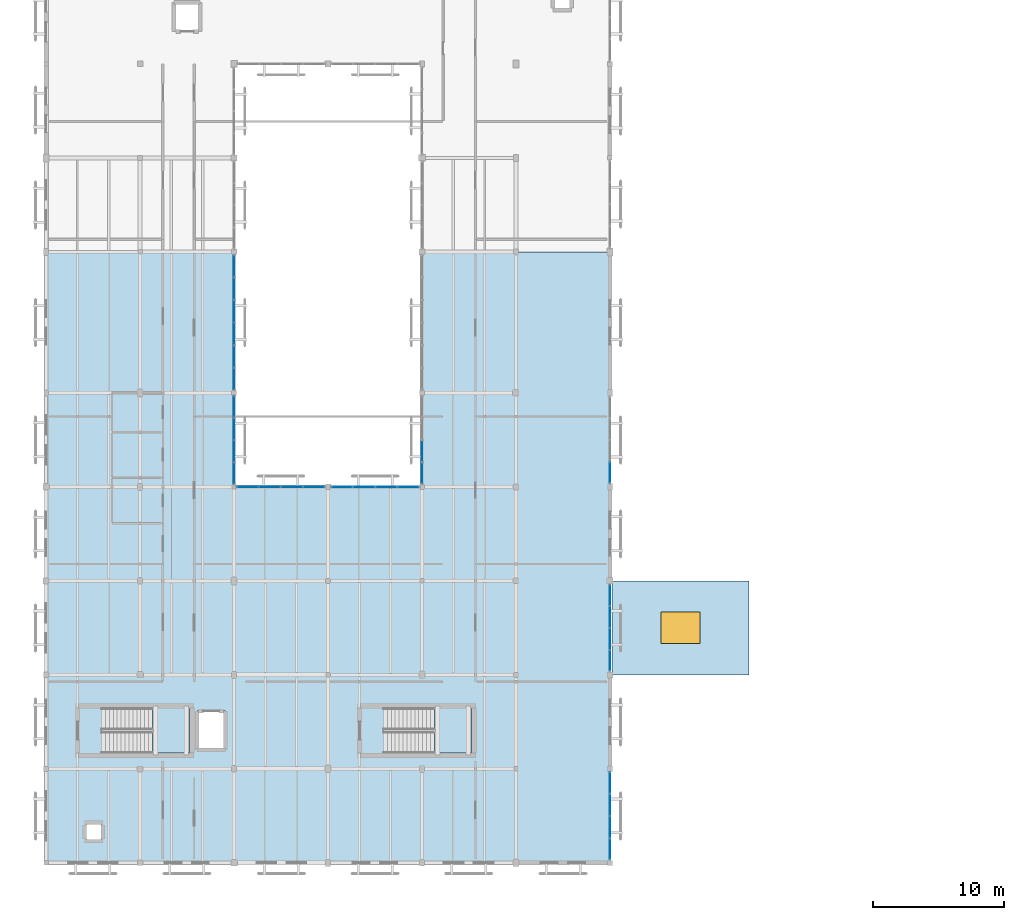
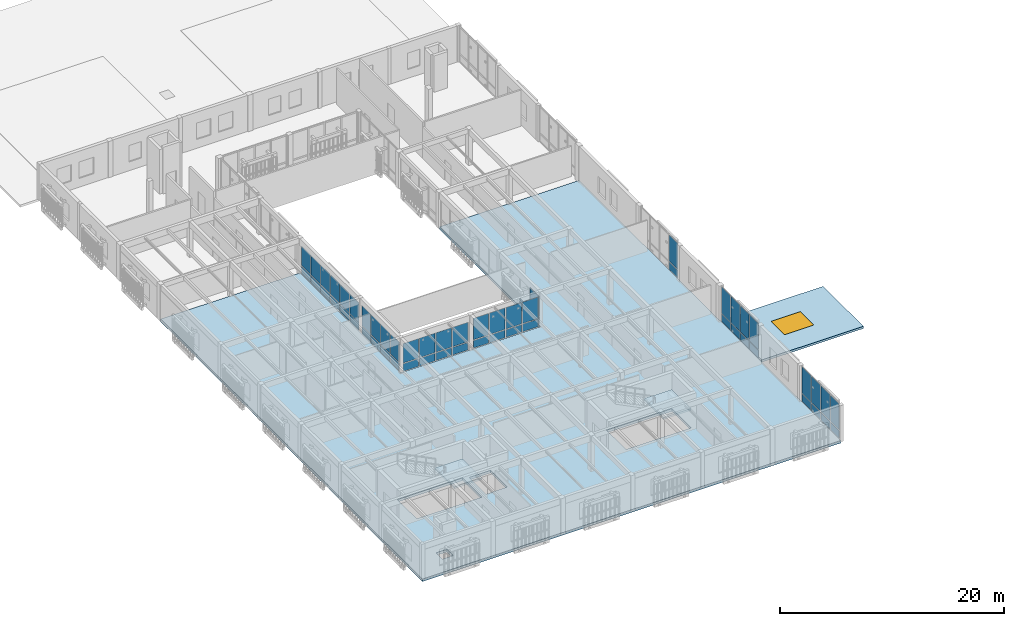
# One storey, part 40 of 61: 57 plates, 4 slabs, 1 window, 1 opening, 10 elements without a shape of their own.
"""IFC4 building model written with IfcOpenShell, lengths in metres."""

import ifcopenshell
import ifcopenshell.guid

model = None  # the IFC model being written
_history = None  # IfcOwnerHistory: only IFC2X3 demands one
_inside = {}  # id of a spatial element -> (the spatial element, [elements in it])
_under = {}  # id of a project, library or spatial element -> (it, [spatial elements below it])
_declared = {}  # id of a project -> (the project, [libraries it declares])
_typed = {}  # id of a type object -> (the type object, [elements of that type])
_made_of = {}  # id of a material, layer set ... -> (it, [elements and type objects made of it])


def new_model(schema):
    """Start an empty IFC model of exactly this schema.

    Asked for "IFC4X3", IfcOpenShell would pick the latest addendum, in which some entities
    have other attributes; the version numbers below select the first issue.
    IFC2X3 requires an IfcOwnerHistory on every rooted entity: one is made here for all.
    """
    global model, _history
    if schema == "IFC4X3":
        model = ifcopenshell.file(schema_version=(4, 3, 0, 0))
    else:
        model = ifcopenshell.file(schema=schema)
    _inside.clear()
    _under.clear()
    _declared.clear()
    _typed.clear()
    _made_of.clear()
    _history = None
    if model.schema == "IFC2X3":
        org = make("IfcOrganization", Name="unknown")
        user = make(
            "IfcPersonAndOrganization",
            ThePerson=make("IfcPerson", FamilyName="unknown"),
            TheOrganization=org,
        )
        app = make(
            "IfcApplication",
            ApplicationDeveloper=org,
            Version="unknown",
            ApplicationFullName="unknown",
            ApplicationIdentifier="unknown",
        )
        _history = make(
            "IfcOwnerHistory",
            OwningUser=user,
            OwningApplication=app,
            ChangeAction="ADDED",
            CreationDate=0,
        )
    return model


def make(cls, **values):
    """One entity of the class cls with the attributes given. An attribute that is None is left unset."""
    return model.create_entity(
        cls, **{name: value for name, value in values.items() if value is not None}
    )


def rooted(cls, **values):
    """An entity with a GlobalId (a new one), such as an element, a storey or a relation."""
    return make(cls, GlobalId=ifcopenshell.guid.new(), OwnerHistory=_history, **values)


def si_unit(unit_type, name, prefix=None):
    """IfcSIUnit, for example si_unit("LENGTHUNIT", "METRE", prefix="MILLI")."""
    return make("IfcSIUnit", UnitType=unit_type, Prefix=prefix, Name=name)


def assignment(units):
    """IfcUnitAssignment: the units of a project."""
    return None if units is None else make("IfcUnitAssignment", Units=units)


def point(xyz):
    """IfcCartesianPoint."""
    return None if xyz is None else make("IfcCartesianPoint", Coordinates=xyz)


def direction(xyz):
    """IfcDirection."""
    return None if xyz is None else make("IfcDirection", DirectionRatios=xyz)


def frame(location, z_axis=None, x_axis=None):
    """IfcAxis2Placement3D, a coordinate frame: its origin and axes. An axis left out is left unset."""
    return make(
        "IfcAxis2Placement3D",
        Location=point(location),
        Axis=direction(z_axis),
        RefDirection=direction(x_axis),
    )


def frame_2d(location, x_axis=None):
    """IfcAxis2Placement2D, a coordinate frame in the plane: its origin and x axis."""
    return make(
        "IfcAxis2Placement2D", Location=point(location), RefDirection=direction(x_axis)
    )


def origin():
    """The frame at (0, 0, 0) with its axes left unset."""
    return frame((0.0, 0.0, 0.0))


def origin_2d():
    """The frame at (0, 0) in the plane with its x axis left unset."""
    return frame_2d((0.0, 0.0))


def place(relative_to, where):
    """IfcLocalPlacement: puts the frame where relative to a parent placement (None: the world)."""
    return make(
        "IfcLocalPlacement", PlacementRelTo=relative_to, RelativePlacement=where
    )


def context(
    kind, dimensions, precision=None, world=None, true_north=None, identifier=None
):
    """IfcGeometricRepresentationContext, for example the 3D "Model" context."""
    return make(
        "IfcGeometricRepresentationContext",
        ContextIdentifier=identifier,
        ContextType=kind,
        CoordinateSpaceDimension=dimensions,
        Precision=precision,
        WorldCoordinateSystem=world,
        TrueNorth=true_north,
    )


def subcontext(parent, identifier, kind, view, scale=None):
    """IfcGeometricRepresentationSubContext, for example "Body" below "Model"."""
    return make(
        "IfcGeometricRepresentationSubContext",
        ContextIdentifier=identifier,
        ContextType=kind,
        ParentContext=parent,
        TargetScale=scale,
        TargetView=view,
    )


def project(units=None, contexts=None):
    """IfcProject with its units and contexts."""
    return rooted(
        "IfcProject",
        Name="project",
        RepresentationContexts=contexts,
        UnitsInContext=assignment(units),
    )


def spatial(cls, under=None, at=None, **own):
    """A site, building, storey or space (cls), placed at a placement, below another one or the project."""
    s = rooted(cls, ObjectPlacement=at, **own)
    if under is not None:
        _under.setdefault(under.id(), (under, []))[1].append(s)
    return s


def polyline(points):
    """IfcPolyline through the points."""
    return make("IfcPolyline", Points=[point(p) for p in points])


def profile(cls, at=None, kind="AREA", **sizes):
    """A parametric profile (cls). Its sizes go by their IFC names, for example OverallWidth=200.0."""
    return make(cls, ProfileType=kind, Position=at, **sizes)


def rectangle(**sizes):
    """IfcRectangleProfileDef."""
    return profile("IfcRectangleProfileDef", **sizes)


def outline(outer, holes=None, kind="AREA"):
    """IfcArbitraryClosedProfileDef: a profile drawn as a closed curve; with holes, ...WithVoids."""
    if holes is None:
        return make("IfcArbitraryClosedProfileDef", ProfileType=kind, OuterCurve=outer)
    return make(
        "IfcArbitraryProfileDefWithVoids",
        ProfileType=kind,
        OuterCurve=outer,
        InnerCurves=holes,
    )


def extrude(swept, where, along, depth):
    """IfcExtrudedAreaSolid: the profile swept, set in the frame where, extruded along a direction by depth."""
    return make(
        "IfcExtrudedAreaSolid",
        SweptArea=swept,
        Position=where,
        ExtrudedDirection=direction(along),
        Depth=depth,
    )


def shape(context_of_items, identifier, shape_type, items):
    """IfcShapeRepresentation: the items that make up one representation, for example the "Body"."""
    return make(
        "IfcShapeRepresentation",
        ContextOfItems=context_of_items,
        RepresentationIdentifier=identifier,
        RepresentationType=shape_type,
        Items=items,
    )


def material(Name=None, Category=None):
    """IfcMaterial."""
    return make("IfcMaterial", Name=Name, Category=Category)


def layer(
    of_material, thickness, ventilated=None, Name=None, Category=None, Priority=None
):
    """IfcMaterialLayer: one layer of a wall or slab, of a material (None: an air gap)."""
    return make(
        "IfcMaterialLayer",
        Material=of_material,
        LayerThickness=thickness,
        IsVentilated=ventilated,
        Name=Name,
        Category=Category,
        Priority=Priority,
    )


def layer_set(layers, Name=None):
    """IfcMaterialLayerSet."""
    return make("IfcMaterialLayerSet", MaterialLayers=layers, LayerSetName=Name)


def made_of(thing, what):
    """Note that an element or type object is made of a material, layer set ...; save() writes the relation."""
    if what is not None:
        _made_of.setdefault(what.id(), (what, []))[1].append(thing)
    return thing


def type_object(cls, material=None, **own):
    """A type object (cls), such as IfcWallType, which elements share."""
    return made_of(rooted(cls, **own), material)


def element(
    cls,
    number,
    at=None,
    inside=None,
    cuts=None,
    type_object=None,
    material=None,
    context=None,
    identifier="Body",
    shape_type=None,
    held_by="IfcProductDefinitionShape",
    body=None,
    shapes=None,
    **own,
):
    """One element of the class cls, such as IfcWall. Its Tag is "e" and its number.

    at: its placement. inside: the storey or other place that contains it. cuts: it is an
    opening in that element (IfcRelVoidsElement). A single representation is given by context,
    identifier, shape_type and body (its items); several are given by shapes. held_by: the class
    of the entity that holds the representations. save() writes the other relations.
    """
    e = rooted(cls, Tag="e%d" % number, ObjectPlacement=at, **own)
    if body is not None:
        shapes = [shape(context, identifier, shape_type, body)]
    if shapes is not None:
        e.Representation = make(held_by, Representations=shapes)
    if inside is not None:
        _inside.setdefault(inside.id(), (inside, []))[1].append(e)
    if cuts is not None:
        rooted(
            "IfcRelVoidsElement", RelatingBuildingElement=cuts, RelatedOpeningElement=e
        )
    if type_object is not None:
        _typed.setdefault(type_object.id(), (type_object, []))[1].append(e)
    return made_of(e, material)


def fill(opening, filler):
    """IfcRelFillsElement: the door or window that sits in an opening."""
    return rooted(
        "IfcRelFillsElement",
        RelatingOpeningElement=opening,
        RelatedBuildingElement=filler,
    )


def aggregate(whole, parts):
    """IfcRelAggregates: a whole, such as a stair, and the parts it consists of."""
    return rooted("IfcRelAggregates", RelatingObject=whole, RelatedObjects=parts)


def save(model, path):
    """Write the relations noted so far, then the file.

    IfcRelAggregates (storeys below a building ...), IfcRelContainedInSpatialStructure (elements
    in a storey), IfcRelDefinesByType, IfcRelAssociatesMaterial and IfcRelDeclares: one each for
    every whole, place, type object, material and project.
    """
    for whole, parts in _under.values():
        aggregate(whole, parts)
    for where, things in _inside.values():
        rooted(
            "IfcRelContainedInSpatialStructure",
            RelatedElements=things,
            RelatingStructure=where,
        )
    for kind, things in _typed.values():
        rooted("IfcRelDefinesByType", RelatedObjects=things, RelatingType=kind)
    for what, things in _made_of.values():
        rooted("IfcRelAssociatesMaterial", RelatedObjects=things, RelatingMaterial=what)
    for by, libraries in _declared.values():
        rooted("IfcRelDeclares", RelatingContext=by, RelatedDefinitions=libraries)
    model.write(path)


model = new_model("IFC4")

# Units and contexts
model_context = context("Model", 3, precision=1e-05, world=origin(), true_north=direction((0.0, 1.0)))
body_context = subcontext(model_context, "Body", "Model", "MODEL_VIEW")
ifc_project = project(units=[si_unit("LENGTHUNIT", "METRE"), si_unit("AREAUNIT", "SQUARE_METRE"), si_unit("VOLUMEUNIT", "CUBIC_METRE"), si_unit("PLANEANGLEUNIT", "RADIAN"), si_unit("MASSUNIT", "GRAM", prefix="KILO")], contexts=[model_context])

# Site, building, storey
site_placement = place(None, origin())
site = spatial("IfcSite", under=ifc_project, at=site_placement, CompositionType="ELEMENT")
building_placement = place(site_placement, origin())
building = spatial("IfcBuilding", under=site, at=building_placement, Name="Mazaris Harbour Polytechnic", CompositionType="ELEMENT")
storey_placement = place(building_placement, frame((0.0, 0.0, 18.0)))
storey = spatial("IfcBuildingStorey", under=building, at=storey_placement, Name="L04", CompositionType="ELEMENT", Elevation=18.0)

# Slab
ifc_material_1 = material(Name="Glulam GL28h and Concrete C30/37", Category="concrete")
ifc_layer_1 = layer(ifc_material_1, 0.280029296875, Name="Glulam GL28h and Concrete C30/37")
ifc_layer_set_1 = layer_set([ifc_layer_1], Name="Glulam GL28h and Concrete C30/37")
slab_type_1 = type_object("IfcSlabType", Name="CLT Composite Floor 280", PredefinedType="FLOOR", material=ifc_layer_set_1)
slab_1_placement = place(storey_placement, frame((0.0, 0.0, -0.280029296875)))
element("IfcSlab", 1, at=slab_1_placement, inside=storey, type_object=slab_type_1, Name="V4 L04 Floor Slab", PredefinedType="FLOOR", context=body_context, shape_type="SweptSolid", body=[
    extrude(outline(polyline([(43.199951171875, 7.199951171875), (0.0, 7.199951171875), (0.0, 54.0), (14.39990234375, 54.0), (14.39990234375, 36.0), (28.800048828125, 36.0), (28.800048828125, 54.0), (43.199951171875, 54.0), (43.199951171875, 7.199951171875)]), holes=[polyline([(4.27490234375, 15.60009765625), (11.0, 15.60009765625), (11.0, 19.050048828125), (4.27490234375, 19.050048828125), (4.27490234375, 15.60009765625)]), polyline([(25.875, 19.050048828125), (25.875, 15.60009765625), (32.60009765625, 15.60009765625), (32.60009765625, 19.050048828125), (25.875, 19.050048828125)]), polyline([(13.75, 18.824951171875), (11.550048828125, 18.824951171875), (11.550048828125, 15.824951171875), (13.75, 15.824951171875), (13.75, 18.824951171875)]), polyline([(3.10009765625, 9.0), (4.219970703125, 9.0), (4.219970703125, 10.1201171875), (3.10009765625, 10.1201171875), (3.10009765625, 9.0)])]), origin(), (0.0, 0.0, 1.0), 0.280029296875),
])

# Slab, opening, window
ifc_material_2 = material(Name="Glulam GL28h and Concrete C30/37", Category="concrete")
ifc_layer_2 = layer(ifc_material_2, 0.239990234375, Name="Glulam GL28h and Concrete C30/37")
ifc_layer_set_2 = layer_set([ifc_layer_2], Name="Glulam GL28h and Concrete C30/37")
slab_type_2 = type_object("IfcSlabType", Name="Insulated Flat Roof Slab 240", PredefinedType="ROOF", material=ifc_layer_set_2)
slab_2_placement = place(storey_placement, frame((0.0, 0.0, -0.239990234375)))
slab_2 = element("IfcSlab", 2, at=slab_2_placement, inside=storey, type_object=slab_type_2, Name="PB-W1 Covered Passage Roof", PredefinedType="ROOF", context=body_context, shape_type="SweptSolid", body=[
    extrude(outline(polyline([(53.85009765625, 21.60009765625), (53.85009765625, 28.800048828125), (43.35009765625, 28.800048828125), (43.35009765625, 21.60009765625), (53.85009765625, 21.60009765625)])), origin(), (0.0, 0.0, 1.0), 0.239990234375),
])
opening_placement = place(slab_2_placement, frame((48.60009765625, 25.199951171875, 0.0)))
opening = element("IfcOpeningElement", 3, at=opening_placement, cuts=slab_2, Name="Opening SKY-04", PredefinedType="OPENING", context=body_context, shape_type="SweptSolid", body=[
    extrude(rectangle(XDim=3.0, YDim=2.39990234375, at=origin_2d()), origin(), (0.0, 0.0, 1.0), 0.239990234375),
])
ifc_material_3 = material(Name="Thermally Broken Bronze Aluminium and Low-E Glass", Category="aluminium")
window_type = type_object("IfcWindowType", Name="Atrium Daylight Skylight 3000x2400", PartitioningType="DOUBLE_PANEL_VERTICAL", PredefinedType="SKYLIGHT", material=ifc_material_3)
window_placement = place(opening_placement, frame((0.0, 0.0, 0.18994140625)))
window = element("IfcWindow", 4, at=window_placement, inside=storey, type_object=window_type, Name="SKY-07", OverallHeight=2.39990234375, OverallWidth=3.0, PartitioningType="SINGLE_PANEL", PredefinedType="SKYLIGHT", context=body_context, shape_type="SweptSolid", body=[
    extrude(rectangle(XDim=3.0, YDim=2.39990234375, at=origin_2d()), origin(), (0.0, 0.0, 1.0), 0.050048828125),
])
fill(opening, window)

# Curtain wall, plates
ifc_material_4 = material(Name="Anodised Bronze Aluminium and Low-E Glass", Category="aluminium")
ifc_layer_3 = layer(ifc_material_4, 0.159912109375, Name="Anodised Bronze Aluminium and Low-E Glass")
ifc_layer_set_3 = layer_set([ifc_layer_3], Name="Anodised Bronze Aluminium and Low-E Glass")
curtain_wall_type = type_object("IfcCurtainWallType", Name="Cloister Court Curtain Wall", PredefinedType="NOTDEFINED", material=ifc_layer_set_3)
curtain_wall_1_placement = place(storey_placement, origin())
curtain_wall_1 = element("IfcCurtainWall", 5, at=curtain_wall_1_placement, inside=storey, type_object=curtain_wall_type, Name="V4 L04 Curtain Wall 162", PredefinedType="NOTDEFINED")
ifc_material_5 = material(Name="Low-E Double Glazing", Category="glass")
ifc_layer_4 = layer(ifc_material_5, 0.028076171875, Name="Low-E Double Glazing")
ifc_layer_set_4 = layer_set([ifc_layer_4], Name="Low-E Double Glazing")
plate_type = type_object("IfcPlateType", Name="Low-E Vision Glass Panel 28", PredefinedType="CURTAIN_PANEL", material=ifc_layer_set_4)
plate_1_placement = place(storey_placement, frame((43.199951171875, 13.325927734375, 0.080078125), z_axis=(0.0, 0.0, 1.0), x_axis=(0.0, -1.0, 0.0)))
plate_1 = element("IfcPlate", 6, at=plate_1_placement, type_object=plate_type, Name="CW-02 panel 1.1", PredefinedType="CURTAIN_PANEL", context=body_context, shape_type="SweptSolid", body=[
    extrude(rectangle(XDim=1.583984375, YDim=0.028076171875, at=origin_2d()), origin(), (0.0, 0.0, 1.0), 0.830078125),
])
plate_2_placement = place(storey_placement, frame((43.199951171875, 13.325927734375, 0.990234375), z_axis=(0.0, 0.0, 1.0), x_axis=(0.0, -1.0, 0.0)))
plate_2 = element("IfcPlate", 7, at=plate_2_placement, type_object=plate_type, Name="CW-02 panel 1.2", PredefinedType="CURTAIN_PANEL", context=body_context, shape_type="SweptSolid", body=[
    extrude(rectangle(XDim=1.583984375, YDim=0.028076171875, at=origin_2d()), origin(), (0.0, 0.0, 1.0), 2.864990234375),
])
plate_3_placement = place(storey_placement, frame((43.199951171875, 11.64208984375, 0.080078125), z_axis=(0.0, 0.0, 1.0), x_axis=(0.0, -1.0, 0.0)))
plate_3 = element("IfcPlate", 8, at=plate_3_placement, type_object=plate_type, Name="CW-02 panel 2.1", PredefinedType="CURTAIN_PANEL", context=body_context, shape_type="SweptSolid", body=[
    extrude(rectangle(XDim=1.6240234375, YDim=0.028076171875, at=origin_2d()), origin(), (0.0, 0.0, 1.0), 0.830078125),
])
plate_4_placement = place(storey_placement, frame((43.199951171875, 11.64208984375, 0.990234375), z_axis=(0.0, 0.0, 1.0), x_axis=(0.0, -1.0, 0.0)))
plate_4 = element("IfcPlate", 9, at=plate_4_placement, type_object=plate_type, Name="CW-02 panel 2.2", PredefinedType="CURTAIN_PANEL", context=body_context, shape_type="SweptSolid", body=[
    extrude(rectangle(XDim=1.6240234375, YDim=0.028076171875, at=origin_2d()), origin(), (0.0, 0.0, 1.0), 2.864990234375),
])
plate_5_placement = place(storey_placement, frame((43.199951171875, 9.93798828125, 0.080078125), z_axis=(0.0, 0.0, 1.0), x_axis=(0.0, -1.0, 0.0)))
plate_5 = element("IfcPlate", 10, at=plate_5_placement, type_object=plate_type, Name="CW-02 panel 3.1", PredefinedType="CURTAIN_PANEL", context=body_context, shape_type="SweptSolid", body=[
    extrude(rectangle(XDim=1.6240234375, YDim=0.028076171875, at=origin_2d()), origin(), (0.0, 0.0, 1.0), 0.830078125),
])
plate_6_placement = place(storey_placement, frame((43.199951171875, 9.93798828125, 0.990234375), z_axis=(0.0, 0.0, 1.0), x_axis=(0.0, -1.0, 0.0)))
plate_6 = element("IfcPlate", 11, at=plate_6_placement, type_object=plate_type, Name="CW-02 panel 3.2", PredefinedType="CURTAIN_PANEL", context=body_context, shape_type="SweptSolid", body=[
    extrude(rectangle(XDim=1.6240234375, YDim=0.028076171875, at=origin_2d()), origin(), (0.0, 0.0, 1.0), 2.864990234375),
])
plate_7_placement = place(storey_placement, frame((43.199951171875, 8.25390625, 0.080078125), z_axis=(0.0, 0.0, 1.0), x_axis=(0.0, -1.0, 0.0)))
plate_7 = element("IfcPlate", 12, at=plate_7_placement, type_object=plate_type, Name="CW-02 panel 4.1", PredefinedType="CURTAIN_PANEL", context=body_context, shape_type="SweptSolid", body=[
    extrude(rectangle(XDim=1.583984375, YDim=0.028076171875, at=origin_2d()), origin(), (0.0, 0.0, 1.0), 0.830078125),
])
plate_8_placement = place(storey_placement, frame((43.199951171875, 8.25390625, 0.990234375), z_axis=(0.0, 0.0, 1.0), x_axis=(0.0, -1.0, 0.0)))
plate_8 = element("IfcPlate", 13, at=plate_8_placement, type_object=plate_type, Name="CW-02 panel 4.2", PredefinedType="CURTAIN_PANEL", context=body_context, shape_type="SweptSolid", body=[
    extrude(rectangle(XDim=1.583984375, YDim=0.028076171875, at=origin_2d()), origin(), (0.0, 0.0, 1.0), 2.864990234375),
])
aggregate(curtain_wall_1, [plate_1, plate_2, plate_3, plate_4, plate_5, plate_6, plate_7, plate_8])

curtain_wall_2_placement = place(storey_placement, origin())
curtain_wall_2 = element("IfcCurtainWall", 14, at=curtain_wall_2_placement, inside=storey, type_object=curtain_wall_type, Name="V4 L04 Curtain Wall 163", PredefinedType="NOTDEFINED")
plate_9_placement = place(storey_placement, frame((43.199951171875, 27.696044921875, 0.080078125), z_axis=(0.0, 0.0, 1.0), x_axis=(0.0, -1.0, 0.0)))
plate_9 = element("IfcPlate", 15, at=plate_9_placement, type_object=plate_type, Name="CW-02 panel 1.1", PredefinedType="CURTAIN_PANEL", context=body_context, shape_type="SweptSolid", body=[
    extrude(rectangle(XDim=1.56396484375, YDim=0.028076171875, at=origin_2d()), origin(), (0.0, 0.0, 1.0), 0.830078125),
])
plate_10_placement = place(storey_placement, frame((43.199951171875, 27.696044921875, 0.990234375), z_axis=(0.0, 0.0, 1.0), x_axis=(0.0, -1.0, 0.0)))
plate_10 = element("IfcPlate", 16, at=plate_10_placement, type_object=plate_type, Name="CW-02 panel 1.2", PredefinedType="CURTAIN_PANEL", context=body_context, shape_type="SweptSolid", body=[
    extrude(rectangle(XDim=1.56396484375, YDim=0.028076171875, at=origin_2d()), origin(), (0.0, 0.0, 1.0), 2.864990234375),
])
plate_11_placement = place(storey_placement, frame((43.199951171875, 26.031982421875, 0.080078125), z_axis=(0.0, 0.0, 1.0), x_axis=(0.0, -1.0, 0.0)))
plate_11 = element("IfcPlate", 17, at=plate_11_placement, type_object=plate_type, Name="CW-02 panel 2.1", PredefinedType="CURTAIN_PANEL", context=body_context, shape_type="SweptSolid", body=[
    extrude(rectangle(XDim=1.60400390625, YDim=0.028076171875, at=origin_2d()), origin(), (0.0, 0.0, 1.0), 0.830078125),
])
plate_12_placement = place(storey_placement, frame((43.199951171875, 26.031982421875, 0.990234375), z_axis=(0.0, 0.0, 1.0), x_axis=(0.0, -1.0, 0.0)))
plate_12 = element("IfcPlate", 18, at=plate_12_placement, type_object=plate_type, Name="CW-02 panel 2.2", PredefinedType="CURTAIN_PANEL", context=body_context, shape_type="SweptSolid", body=[
    extrude(rectangle(XDim=1.60400390625, YDim=0.028076171875, at=origin_2d()), origin(), (0.0, 0.0, 1.0), 2.864990234375),
])
plate_13_placement = place(storey_placement, frame((43.199951171875, 24.347900390625, 0.080078125), z_axis=(0.0, 0.0, 1.0), x_axis=(0.0, -1.0, 0.0)))
plate_13 = element("IfcPlate", 19, at=plate_13_placement, type_object=plate_type, Name="CW-02 panel 3.1", PredefinedType="CURTAIN_PANEL", context=body_context, shape_type="SweptSolid", body=[
    extrude(rectangle(XDim=1.60400390625, YDim=0.028076171875, at=origin_2d()), origin(), (0.0, 0.0, 1.0), 0.830078125),
])
plate_14_placement = place(storey_placement, frame((43.199951171875, 24.347900390625, 0.990234375), z_axis=(0.0, 0.0, 1.0), x_axis=(0.0, -1.0, 0.0)))
plate_14 = element("IfcPlate", 20, at=plate_14_placement, type_object=plate_type, Name="CW-02 panel 3.2", PredefinedType="CURTAIN_PANEL", context=body_context, shape_type="SweptSolid", body=[
    extrude(rectangle(XDim=1.60400390625, YDim=0.028076171875, at=origin_2d()), origin(), (0.0, 0.0, 1.0), 2.864990234375),
])
plate_15_placement = place(storey_placement, frame((43.199951171875, 22.68408203125, 0.080078125), z_axis=(0.0, 0.0, 1.0), x_axis=(0.0, -1.0, 0.0)))
plate_15 = element("IfcPlate", 21, at=plate_15_placement, type_object=plate_type, Name="CW-02 panel 4.1", PredefinedType="CURTAIN_PANEL", context=body_context, shape_type="SweptSolid", body=[
    extrude(rectangle(XDim=1.56396484375, YDim=0.028076171875, at=origin_2d()), origin(), (0.0, 0.0, 1.0), 0.830078125),
])
plate_16_placement = place(storey_placement, frame((43.199951171875, 22.68408203125, 0.990234375), z_axis=(0.0, 0.0, 1.0), x_axis=(0.0, -1.0, 0.0)))
plate_16 = element("IfcPlate", 22, at=plate_16_placement, type_object=plate_type, Name="CW-02 panel 4.2", PredefinedType="CURTAIN_PANEL", context=body_context, shape_type="SweptSolid", body=[
    extrude(rectangle(XDim=1.56396484375, YDim=0.028076171875, at=origin_2d()), origin(), (0.0, 0.0, 1.0), 2.864990234375),
])
aggregate(curtain_wall_2, [plate_9, plate_10, plate_11, plate_12, plate_13, plate_14, plate_15, plate_16])

curtain_wall_3_placement = place(storey_placement, origin())
curtain_wall_3 = element("IfcCurtainWall", 23, at=curtain_wall_3_placement, inside=storey, type_object=curtain_wall_type, Name="V4 L04 Curtain Wall 164", PredefinedType="NOTDEFINED")
plate_17_placement = place(storey_placement, frame((43.199951171875, 37.09033203125, 0.080078125), z_axis=(0.0, 0.0, 1.0), x_axis=(0.0, -1.0, 0.0)))
plate_17 = element("IfcPlate", 24, at=plate_17_placement, type_object=plate_type, Name="CW-02 panel 4.1", PredefinedType="CURTAIN_PANEL", context=body_context, shape_type="SweptSolid", body=[
    extrude(rectangle(XDim=1.556396484375, YDim=0.028076171875, at=origin_2d()), origin(), (0.0, 0.0, 1.0), 0.830078125),
])
plate_18_placement = place(storey_placement, frame((43.199951171875, 37.09033203125, 0.990234375), z_axis=(0.0, 0.0, 1.0), x_axis=(0.0, -1.0, 0.0)))
plate_18 = element("IfcPlate", 25, at=plate_18_placement, type_object=plate_type, Name="CW-02 panel 4.2", PredefinedType="CURTAIN_PANEL", context=body_context, shape_type="SweptSolid", body=[
    extrude(rectangle(XDim=1.556396484375, YDim=0.028076171875, at=origin_2d()), origin(), (0.0, 0.0, 1.0), 2.864990234375),
])
aggregate(curtain_wall_3, [plate_17, plate_18])

curtain_wall_4_placement = place(storey_placement, origin())
curtain_wall_4 = element("IfcCurtainWall", 26, at=curtain_wall_4_placement, inside=storey, type_object=curtain_wall_type, Name="V4 L04 Curtain Wall 167", PredefinedType="NOTDEFINED")
plate_19_placement = place(storey_placement, frame((15.4365234375, 36.0, 0.080078125), z_axis=(0.0, 0.0, 1.0), x_axis=(1.0, 0.0, 0.0)))
plate_19 = element("IfcPlate", 27, at=plate_19_placement, type_object=plate_type, Name="CW-02 panel 1.1", PredefinedType="CURTAIN_PANEL", context=body_context, shape_type="SweptSolid", body=[
    extrude(rectangle(XDim=1.589111328125, YDim=0.028076171875, at=origin_2d()), origin(), (0.0, 0.0, 1.0), 0.830078125),
])
plate_20_placement = place(storey_placement, frame((15.4365234375, 36.0, 0.990234375), z_axis=(0.0, 0.0, 1.0), x_axis=(1.0, 0.0, 0.0)))
plate_20 = element("IfcPlate", 28, at=plate_20_placement, type_object=plate_type, Name="CW-02 panel 1.2", PredefinedType="CURTAIN_PANEL", context=body_context, shape_type="SweptSolid", body=[
    extrude(rectangle(XDim=1.589111328125, YDim=0.028076171875, at=origin_2d()), origin(), (0.0, 0.0, 1.0), 2.114990234375),
])
plate_21_placement = place(storey_placement, frame((17.12548828125, 36.0, 0.080078125), z_axis=(0.0, 0.0, 1.0), x_axis=(1.0, 0.0, 0.0)))
plate_21 = element("IfcPlate", 29, at=plate_21_placement, type_object=plate_type, Name="CW-02 panel 2.1", PredefinedType="CURTAIN_PANEL", context=body_context, shape_type="SweptSolid", body=[
    extrude(rectangle(XDim=1.62890625, YDim=0.028076171875, at=origin_2d()), origin(), (0.0, 0.0, 1.0), 0.830078125),
])
plate_22_placement = place(storey_placement, frame((17.12548828125, 36.0, 0.990234375), z_axis=(0.0, 0.0, 1.0), x_axis=(1.0, 0.0, 0.0)))
plate_22 = element("IfcPlate", 30, at=plate_22_placement, type_object=plate_type, Name="CW-02 panel 2.2", PredefinedType="CURTAIN_PANEL", context=body_context, shape_type="SweptSolid", body=[
    extrude(rectangle(XDim=1.62890625, YDim=0.028076171875, at=origin_2d()), origin(), (0.0, 0.0, 1.0), 2.114990234375),
])
plate_23_placement = place(storey_placement, frame((18.83447265625, 36.0, 0.080078125), z_axis=(0.0, 0.0, 1.0), x_axis=(1.0, 0.0, 0.0)))
plate_23 = element("IfcPlate", 31, at=plate_23_placement, type_object=plate_type, Name="CW-02 panel 3.1", PredefinedType="CURTAIN_PANEL", context=body_context, shape_type="SweptSolid", body=[
    extrude(rectangle(XDim=1.62890625, YDim=0.028076171875, at=origin_2d()), origin(), (0.0, 0.0, 1.0), 0.830078125),
])
plate_24_placement = place(storey_placement, frame((18.83447265625, 36.0, 0.990234375), z_axis=(0.0, 0.0, 1.0), x_axis=(1.0, 0.0, 0.0)))
plate_24 = element("IfcPlate", 32, at=plate_24_placement, type_object=plate_type, Name="CW-02 panel 3.2", PredefinedType="CURTAIN_PANEL", context=body_context, shape_type="SweptSolid", body=[
    extrude(rectangle(XDim=1.62890625, YDim=0.028076171875, at=origin_2d()), origin(), (0.0, 0.0, 1.0), 2.114990234375),
])
plate_25_placement = place(storey_placement, frame((20.5234375, 36.0, 0.080078125), z_axis=(0.0, 0.0, 1.0), x_axis=(1.0, 0.0, 0.0)))
plate_25 = element("IfcPlate", 33, at=plate_25_placement, type_object=plate_type, Name="CW-02 panel 4.1", PredefinedType="CURTAIN_PANEL", context=body_context, shape_type="SweptSolid", body=[
    extrude(rectangle(XDim=1.589111328125, YDim=0.028076171875, at=origin_2d()), origin(), (0.0, 0.0, 1.0), 0.830078125),
])
plate_26_placement = place(storey_placement, frame((20.5234375, 36.0, 0.990234375), z_axis=(0.0, 0.0, 1.0), x_axis=(1.0, 0.0, 0.0)))
plate_26 = element("IfcPlate", 34, at=plate_26_placement, type_object=plate_type, Name="CW-02 panel 4.2", PredefinedType="CURTAIN_PANEL", context=body_context, shape_type="SweptSolid", body=[
    extrude(rectangle(XDim=1.589111328125, YDim=0.028076171875, at=origin_2d()), origin(), (0.0, 0.0, 1.0), 2.114990234375),
])
aggregate(curtain_wall_4, [plate_19, plate_20, plate_21, plate_22, plate_23, plate_24, plate_25, plate_26])

curtain_wall_5_placement = place(storey_placement, origin())
curtain_wall_5 = element("IfcCurtainWall", 35, at=curtain_wall_5_placement, inside=storey, type_object=curtain_wall_type, Name="V4 L04 Curtain Wall 168", PredefinedType="NOTDEFINED")
plate_27_placement = place(storey_placement, frame((22.674072265625, 36.0, 0.080078125), z_axis=(0.0, 0.0, 1.0), x_axis=(1.0, 0.0, 0.0)))
plate_27 = element("IfcPlate", 36, at=plate_27_placement, type_object=plate_type, Name="CW-02 panel 1.1", PredefinedType="CURTAIN_PANEL", context=body_context, shape_type="SweptSolid", body=[
    extrude(rectangle(XDim=1.583984375, YDim=0.028076171875, at=origin_2d()), origin(), (0.0, 0.0, 1.0), 0.830078125),
])
plate_28_placement = place(storey_placement, frame((22.674072265625, 36.0, 0.989990234375), z_axis=(0.0, 0.0, 1.0), x_axis=(1.0, 0.0, 0.0)))
plate_28 = element("IfcPlate", 37, at=plate_28_placement, type_object=plate_type, Name="CW-02 panel 1.2", PredefinedType="CURTAIN_PANEL", context=body_context, shape_type="SweptSolid", body=[
    extrude(rectangle(XDim=1.583984375, YDim=0.028076171875, at=origin_2d()), origin(), (0.0, 0.0, 1.0), 2.3349609375),
])
plate_29_placement = place(storey_placement, frame((24.35791015625, 36.0, 0.080078125), z_axis=(0.0, 0.0, 1.0), x_axis=(1.0, 0.0, 0.0)))
plate_29 = element("IfcPlate", 38, at=plate_29_placement, type_object=plate_type, Name="CW-02 panel 2.1", PredefinedType="CURTAIN_PANEL", context=body_context, shape_type="SweptSolid", body=[
    extrude(rectangle(XDim=1.6240234375, YDim=0.028076171875, at=origin_2d()), origin(), (0.0, 0.0, 1.0), 0.830078125),
])
plate_30_placement = place(storey_placement, frame((24.35791015625, 36.0, 0.989990234375), z_axis=(0.0, 0.0, 1.0), x_axis=(1.0, 0.0, 0.0)))
plate_30 = element("IfcPlate", 39, at=plate_30_placement, type_object=plate_type, Name="CW-02 panel 2.2", PredefinedType="CURTAIN_PANEL", context=body_context, shape_type="SweptSolid", body=[
    extrude(rectangle(XDim=1.6240234375, YDim=0.028076171875, at=origin_2d()), origin(), (0.0, 0.0, 1.0), 2.3349609375),
])
plate_31_placement = place(storey_placement, frame((26.06201171875, 36.0, 0.080078125), z_axis=(0.0, 0.0, 1.0), x_axis=(1.0, 0.0, 0.0)))
plate_31 = element("IfcPlate", 40, at=plate_31_placement, type_object=plate_type, Name="CW-02 panel 3.1", PredefinedType="CURTAIN_PANEL", context=body_context, shape_type="SweptSolid", body=[
    extrude(rectangle(XDim=1.6240234375, YDim=0.028076171875, at=origin_2d()), origin(), (0.0, 0.0, 1.0), 0.830078125),
])
plate_32_placement = place(storey_placement, frame((26.06201171875, 36.0, 0.989990234375), z_axis=(0.0, 0.0, 1.0), x_axis=(1.0, 0.0, 0.0)))
plate_32 = element("IfcPlate", 41, at=plate_32_placement, type_object=plate_type, Name="CW-02 panel 3.2", PredefinedType="CURTAIN_PANEL", context=body_context, shape_type="SweptSolid", body=[
    extrude(rectangle(XDim=1.6240234375, YDim=0.028076171875, at=origin_2d()), origin(), (0.0, 0.0, 1.0), 2.3349609375),
])
plate_33_placement = place(storey_placement, frame((27.74609375, 36.0, 0.080078125), z_axis=(0.0, 0.0, 1.0), x_axis=(1.0, 0.0, 0.0)))
plate_33 = element("IfcPlate", 42, at=plate_33_placement, type_object=plate_type, Name="CW-02 panel 4.1", PredefinedType="CURTAIN_PANEL", context=body_context, shape_type="SweptSolid", body=[
    extrude(rectangle(XDim=1.583984375, YDim=0.028076171875, at=origin_2d()), origin(), (0.0, 0.0, 1.0), 0.830078125),
])
plate_34_placement = place(storey_placement, frame((27.74609375, 36.0, 0.989990234375), z_axis=(0.0, 0.0, 1.0), x_axis=(1.0, 0.0, 0.0)))
plate_34 = element("IfcPlate", 43, at=plate_34_placement, type_object=plate_type, Name="CW-02 panel 4.2", PredefinedType="CURTAIN_PANEL", context=body_context, shape_type="SweptSolid", body=[
    extrude(rectangle(XDim=1.583984375, YDim=0.028076171875, at=origin_2d()), origin(), (0.0, 0.0, 1.0), 2.3349609375),
])
aggregate(curtain_wall_5, [plate_27, plate_28, plate_29, plate_30, plate_31, plate_32, plate_33, plate_34])

curtain_wall_6_placement = place(storey_placement, origin())
curtain_wall_6 = element("IfcCurtainWall", 44, at=curtain_wall_6_placement, inside=storey, type_object=curtain_wall_type, Name="V4 L04 Curtain Wall 171", PredefinedType="NOTDEFINED")
plate_35_placement = place(storey_placement, frame((14.39990234375, 37.0390625, 0.080078125), z_axis=(0.0, 0.0, 1.0), x_axis=(0.0, 1.0, 0.0)))
plate_35 = element("IfcPlate", 45, at=plate_35_placement, type_object=plate_type, Name="CW-02 panel 1.1", PredefinedType="CURTAIN_PANEL", context=body_context, shape_type="SweptSolid", body=[
    extrude(rectangle(XDim=1.593994140625, YDim=0.028076171875, at=origin_2d()), origin(), (0.0, 0.0, 1.0), 0.830078125),
])
plate_36_placement = place(storey_placement, frame((14.39990234375, 37.0390625, 0.98974609375), z_axis=(0.0, 0.0, 1.0), x_axis=(0.0, 1.0, 0.0)))
plate_36 = element("IfcPlate", 46, at=plate_36_placement, type_object=plate_type, Name="CW-02 panel 1.2", PredefinedType="CURTAIN_PANEL", context=body_context, shape_type="SweptSolid", body=[
    extrude(rectangle(XDim=1.593994140625, YDim=0.028076171875, at=origin_2d()), origin(), (0.0, 0.0, 1.0), 2.175048828125),
])
plate_37_placement = place(storey_placement, frame((14.39990234375, 38.73291015625, 0.080078125), z_axis=(0.0, 0.0, 1.0), x_axis=(0.0, 1.0, 0.0)))
plate_37 = element("IfcPlate", 47, at=plate_37_placement, type_object=plate_type, Name="CW-02 panel 2.1", PredefinedType="CURTAIN_PANEL", context=body_context, shape_type="SweptSolid", body=[
    extrude(rectangle(XDim=1.634033203125, YDim=0.028076171875, at=origin_2d()), origin(), (0.0, 0.0, 1.0), 0.830078125),
])
plate_38_placement = place(storey_placement, frame((14.39990234375, 38.73291015625, 0.98974609375), z_axis=(0.0, 0.0, 1.0), x_axis=(0.0, 1.0, 0.0)))
plate_38 = element("IfcPlate", 48, at=plate_38_placement, type_object=plate_type, Name="CW-02 panel 2.2", PredefinedType="CURTAIN_PANEL", context=body_context, shape_type="SweptSolid", body=[
    extrude(rectangle(XDim=1.634033203125, YDim=0.028076171875, at=origin_2d()), origin(), (0.0, 0.0, 1.0), 2.175048828125),
])
plate_39_placement = place(storey_placement, frame((14.39990234375, 40.447021484375, 0.080078125), z_axis=(0.0, 0.0, 1.0), x_axis=(0.0, 1.0, 0.0)))
plate_39 = element("IfcPlate", 49, at=plate_39_placement, type_object=plate_type, Name="CW-02 panel 3.1", PredefinedType="CURTAIN_PANEL", context=body_context, shape_type="SweptSolid", body=[
    extrude(rectangle(XDim=1.634033203125, YDim=0.028076171875, at=origin_2d()), origin(), (0.0, 0.0, 1.0), 0.830078125),
])
plate_40_placement = place(storey_placement, frame((14.39990234375, 40.447021484375, 0.98974609375), z_axis=(0.0, 0.0, 1.0), x_axis=(0.0, 1.0, 0.0)))
plate_40 = element("IfcPlate", 50, at=plate_40_placement, type_object=plate_type, Name="CW-02 panel 3.2", PredefinedType="CURTAIN_PANEL", context=body_context, shape_type="SweptSolid", body=[
    extrude(rectangle(XDim=1.634033203125, YDim=0.028076171875, at=origin_2d()), origin(), (0.0, 0.0, 1.0), 2.175048828125),
])
plate_41_placement = place(storey_placement, frame((14.39990234375, 42.14111328125, 0.080078125), z_axis=(0.0, 0.0, 1.0), x_axis=(0.0, 1.0, 0.0)))
plate_41 = element("IfcPlate", 51, at=plate_41_placement, type_object=plate_type, Name="CW-02 panel 4.1", PredefinedType="CURTAIN_PANEL", context=body_context, shape_type="SweptSolid", body=[
    extrude(rectangle(XDim=1.593994140625, YDim=0.028076171875, at=origin_2d()), origin(), (0.0, 0.0, 1.0), 0.830078125),
])
plate_42_placement = place(storey_placement, frame((14.39990234375, 42.14111328125, 0.98974609375), z_axis=(0.0, 0.0, 1.0), x_axis=(0.0, 1.0, 0.0)))
plate_42 = element("IfcPlate", 52, at=plate_42_placement, type_object=plate_type, Name="CW-02 panel 4.2", PredefinedType="CURTAIN_PANEL", context=body_context, shape_type="SweptSolid", body=[
    extrude(rectangle(XDim=1.593994140625, YDim=0.028076171875, at=origin_2d()), origin(), (0.0, 0.0, 1.0), 2.175048828125),
])
aggregate(curtain_wall_6, [plate_35, plate_36, plate_37, plate_38, plate_39, plate_40, plate_41, plate_42])

curtain_wall_7_placement = place(storey_placement, origin())
curtain_wall_7 = element("IfcCurtainWall", 53, at=curtain_wall_7_placement, inside=storey, type_object=curtain_wall_type, Name="V4 L04 Curtain Wall 172", PredefinedType="NOTDEFINED")
plate_43_placement = place(storey_placement, frame((14.39990234375, 44.27001953125, 0.080078125), z_axis=(0.0, 0.0, 1.0), x_axis=(0.0, 1.0, 0.0)))
plate_43 = element("IfcPlate", 54, at=plate_43_placement, type_object=plate_type, Name="CW-02 panel 1.1", PredefinedType="CURTAIN_PANEL", context=body_context, shape_type="SweptSolid", body=[
    extrude(rectangle(XDim=1.615966796875, YDim=0.028076171875, at=origin_2d()), origin(), (0.0, 0.0, 1.0), 0.830078125),
])
plate_44_placement = place(storey_placement, frame((14.39990234375, 44.27001953125, 0.990234375), z_axis=(0.0, 0.0, 1.0), x_axis=(0.0, 1.0, 0.0)))
plate_44 = element("IfcPlate", 55, at=plate_44_placement, type_object=plate_type, Name="CW-02 panel 1.2", PredefinedType="CURTAIN_PANEL", context=body_context, shape_type="SweptSolid", body=[
    extrude(rectangle(XDim=1.615966796875, YDim=0.028076171875, at=origin_2d()), origin(), (0.0, 0.0, 1.0), 2.114990234375),
])
plate_45_placement = place(storey_placement, frame((14.39990234375, 45.986083984375, 0.080078125), z_axis=(0.0, 0.0, 1.0), x_axis=(0.0, 1.0, 0.0)))
plate_45 = element("IfcPlate", 56, at=plate_45_placement, type_object=plate_type, Name="CW-02 panel 2.1", PredefinedType="CURTAIN_PANEL", context=body_context, shape_type="SweptSolid", body=[
    extrude(rectangle(XDim=1.656005859375, YDim=0.028076171875, at=origin_2d()), origin(), (0.0, 0.0, 1.0), 0.830078125),
])
plate_46_placement = place(storey_placement, frame((14.39990234375, 45.986083984375, 0.990234375), z_axis=(0.0, 0.0, 1.0), x_axis=(0.0, 1.0, 0.0)))
plate_46 = element("IfcPlate", 57, at=plate_46_placement, type_object=plate_type, Name="CW-02 panel 2.2", PredefinedType="CURTAIN_PANEL", context=body_context, shape_type="SweptSolid", body=[
    extrude(rectangle(XDim=1.656005859375, YDim=0.028076171875, at=origin_2d()), origin(), (0.0, 0.0, 1.0), 2.114990234375),
])
plate_47_placement = place(storey_placement, frame((14.39990234375, 47.721923828125, 0.080078125), z_axis=(0.0, 0.0, 1.0), x_axis=(0.0, 1.0, 0.0)))
plate_47 = element("IfcPlate", 58, at=plate_47_placement, type_object=plate_type, Name="CW-02 panel 3.1", PredefinedType="CURTAIN_PANEL", context=body_context, shape_type="SweptSolid", body=[
    extrude(rectangle(XDim=1.656005859375, YDim=0.028076171875, at=origin_2d()), origin(), (0.0, 0.0, 1.0), 0.830078125),
])
plate_48_placement = place(storey_placement, frame((14.39990234375, 47.721923828125, 0.990234375), z_axis=(0.0, 0.0, 1.0), x_axis=(0.0, 1.0, 0.0)))
plate_48 = element("IfcPlate", 59, at=plate_48_placement, type_object=plate_type, Name="CW-02 panel 3.2", PredefinedType="CURTAIN_PANEL", context=body_context, shape_type="SweptSolid", body=[
    extrude(rectangle(XDim=1.656005859375, YDim=0.028076171875, at=origin_2d()), origin(), (0.0, 0.0, 1.0), 2.114990234375),
])
plate_49_placement = place(storey_placement, frame((14.39990234375, 49.4580078125, 0.080078125), z_axis=(0.0, 0.0, 1.0), x_axis=(0.0, 1.0, 0.0)))
plate_49 = element("IfcPlate", 60, at=plate_49_placement, type_object=plate_type, Name="CW-02 panel 4.1", PredefinedType="CURTAIN_PANEL", context=body_context, shape_type="SweptSolid", body=[
    extrude(rectangle(XDim=1.656005859375, YDim=0.028076171875, at=origin_2d()), origin(), (0.0, 0.0, 1.0), 0.830078125),
])
plate_50_placement = place(storey_placement, frame((14.39990234375, 49.4580078125, 0.990234375), z_axis=(0.0, 0.0, 1.0), x_axis=(0.0, 1.0, 0.0)))
plate_50 = element("IfcPlate", 61, at=plate_50_placement, type_object=plate_type, Name="CW-02 panel 4.2", PredefinedType="CURTAIN_PANEL", context=body_context, shape_type="SweptSolid", body=[
    extrude(rectangle(XDim=1.656005859375, YDim=0.028076171875, at=origin_2d()), origin(), (0.0, 0.0, 1.0), 2.114990234375),
])
plate_51_placement = place(storey_placement, frame((14.39990234375, 51.194091796875, 0.080078125), z_axis=(0.0, 0.0, 1.0), x_axis=(0.0, 1.0, 0.0)))
plate_51 = element("IfcPlate", 62, at=plate_51_placement, type_object=plate_type, Name="CW-02 panel 5.1", PredefinedType="CURTAIN_PANEL", context=body_context, shape_type="SweptSolid", body=[
    extrude(rectangle(XDim=1.656005859375, YDim=0.028076171875, at=origin_2d()), origin(), (0.0, 0.0, 1.0), 0.830078125),
])
plate_52_placement = place(storey_placement, frame((14.39990234375, 51.194091796875, 0.990234375), z_axis=(0.0, 0.0, 1.0), x_axis=(0.0, 1.0, 0.0)))
plate_52 = element("IfcPlate", 63, at=plate_52_placement, type_object=plate_type, Name="CW-02 panel 5.2", PredefinedType="CURTAIN_PANEL", context=body_context, shape_type="SweptSolid", body=[
    extrude(rectangle(XDim=1.656005859375, YDim=0.028076171875, at=origin_2d()), origin(), (0.0, 0.0, 1.0), 2.114990234375),
])
plate_53_placement = place(storey_placement, frame((14.39990234375, 52.909912109375, 0.080078125), z_axis=(0.0, 0.0, 1.0), x_axis=(0.0, 1.0, 0.0)))
plate_53 = element("IfcPlate", 64, at=plate_53_placement, type_object=plate_type, Name="CW-02 panel 6.1", PredefinedType="CURTAIN_PANEL", context=body_context, shape_type="SweptSolid", body=[
    extrude(rectangle(XDim=1.615966796875, YDim=0.028076171875, at=origin_2d()), origin(), (0.0, 0.0, 1.0), 0.830078125),
])
plate_54_placement = place(storey_placement, frame((14.39990234375, 52.909912109375, 0.990234375), z_axis=(0.0, 0.0, 1.0), x_axis=(0.0, 1.0, 0.0)))
plate_54 = element("IfcPlate", 65, at=plate_54_placement, type_object=plate_type, Name="CW-02 panel 6.2", PredefinedType="CURTAIN_PANEL", context=body_context, shape_type="SweptSolid", body=[
    extrude(rectangle(XDim=1.615966796875, YDim=0.028076171875, at=origin_2d()), origin(), (0.0, 0.0, 1.0), 2.114990234375),
])
aggregate(curtain_wall_7, [plate_43, plate_44, plate_45, plate_46, plate_47, plate_48, plate_49, plate_50, plate_51, plate_52, plate_53, plate_54])

curtain_wall_8_placement = place(storey_placement, origin())
curtain_wall_8 = element("IfcCurtainWall", 66, at=curtain_wall_8_placement, inside=storey, type_object=curtain_wall_type, Name="V4 L04 Curtain Wall 175", PredefinedType="NOTDEFINED")
plate_55_placement = place(storey_placement, frame((28.800048828125, 38.738037109375, 0.080078125), z_axis=(0.0, 0.0, 1.0), x_axis=(0.0, -1.0, 0.0)))
plate_55 = element("IfcPlate", 67, at=plate_55_placement, type_object=plate_type, Name="CW-02 panel 3.1", PredefinedType="CURTAIN_PANEL", context=body_context, shape_type="SweptSolid", body=[
    extrude(rectangle(XDim=1.6240234375, YDim=0.028076171875, at=origin_2d()), origin(), (0.0, 0.0, 1.0), 0.830078125),
])
plate_56_placement = place(storey_placement, frame((28.800048828125, 37.053955078125, 0.080078125), z_axis=(0.0, 0.0, 1.0), x_axis=(0.0, -1.0, 0.0)))
plate_56 = element("IfcPlate", 68, at=plate_56_placement, type_object=plate_type, Name="CW-02 panel 4.1", PredefinedType="CURTAIN_PANEL", context=body_context, shape_type="SweptSolid", body=[
    extrude(rectangle(XDim=1.583984375, YDim=0.028076171875, at=origin_2d()), origin(), (0.0, 0.0, 1.0), 0.830078125),
])
plate_57_placement = place(storey_placement, frame((28.800048828125, 37.053955078125, 0.98974609375), z_axis=(0.0, 0.0, 1.0), x_axis=(0.0, -1.0, 0.0)))
plate_57 = element("IfcPlate", 69, at=plate_57_placement, type_object=plate_type, Name="CW-02 panel 4.2", PredefinedType="CURTAIN_PANEL", context=body_context, shape_type="SweptSolid", body=[
    extrude(rectangle(XDim=1.583984375, YDim=0.028076171875, at=origin_2d()), origin(), (0.0, 0.0, 1.0), 2.175048828125),
])
aggregate(curtain_wall_8, [plate_55, plate_56, plate_57])

# Stair, slab
ifc_material_6 = material(Name="Concrete C40/50", Category="concrete")
stair_type = type_object("IfcStairType", Name="Core Exit Stair H4200", PredefinedType="HALF_TURN_STAIR", material=ifc_material_6)
stair_1_placement = place(storey_placement, origin())
stair_1 = element("IfcStair", 70, at=stair_1_placement, inside=storey, type_object=stair_type, Name="L04 ST07", PredefinedType="HALF_TURN_STAIR")
ifc_material_7 = material(Name="Concrete C40/50", Category="concrete")
ifc_layer_5 = layer(ifc_material_7, 0.199951171875, Name="Concrete C40/50")
ifc_layer_set_5 = layer_set([ifc_layer_5], Name="Concrete C40/50")
slab_type_3 = type_object("IfcSlabType", Name="RC Stair Landing 200", PredefinedType="LANDING", material=ifc_layer_set_5)
slab_3_placement = place(storey_placement, frame((0.0, 0.0, 1.89990234375)))
slab_3 = element("IfcSlab", 71, at=slab_3_placement, type_object=slab_type_3, Name="ST07 landing 1", PredefinedType="LANDING", context=body_context, shape_type="SweptSolid", body=[
    extrude(outline(polyline([(8.14990234375, 15.60009765625), (11.0, 15.60009765625), (11.0, 19.050048828125), (8.14990234375, 19.050048828125), (8.14990234375, 15.60009765625)])), origin(), (0.0, 0.0, 1.0), 0.2001953125),
])
aggregate(stair_1, [slab_3])

stair_2_placement = place(storey_placement, origin())
stair_2 = element("IfcStair", 72, at=stair_2_placement, inside=storey, type_object=stair_type, Name="L04 ST08", PredefinedType="HALF_TURN_STAIR")
slab_4_placement = place(storey_placement, frame((0.0, 0.0, 1.89990234375)))
slab_4 = element("IfcSlab", 73, at=slab_4_placement, type_object=slab_type_3, Name="ST08 landing 1", PredefinedType="LANDING", context=body_context, shape_type="SweptSolid", body=[
    extrude(outline(polyline([(29.75, 15.60009765625), (32.60009765625, 15.60009765625), (32.60009765625, 19.050048828125), (29.75, 19.050048828125), (29.75, 15.60009765625)])), origin(), (0.0, 0.0, 1.0), 0.2001953125),
])
aggregate(stair_2, [slab_4])

save(model, "model.ifc")
